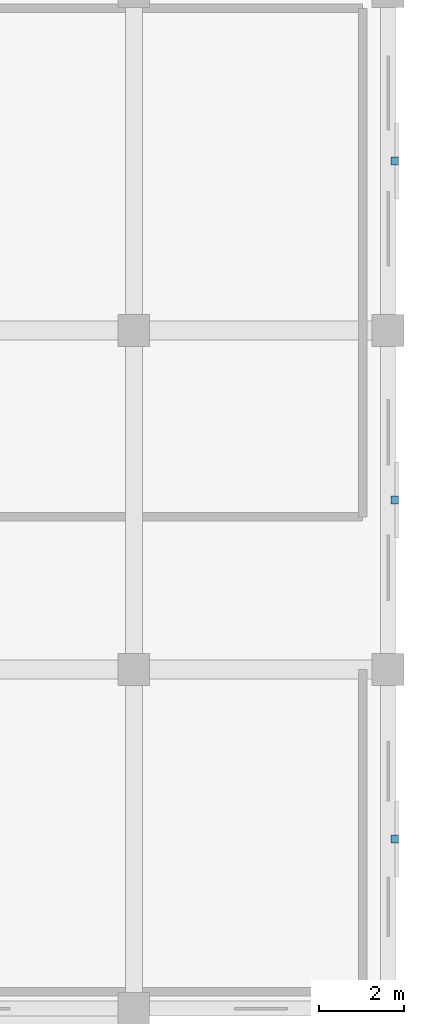
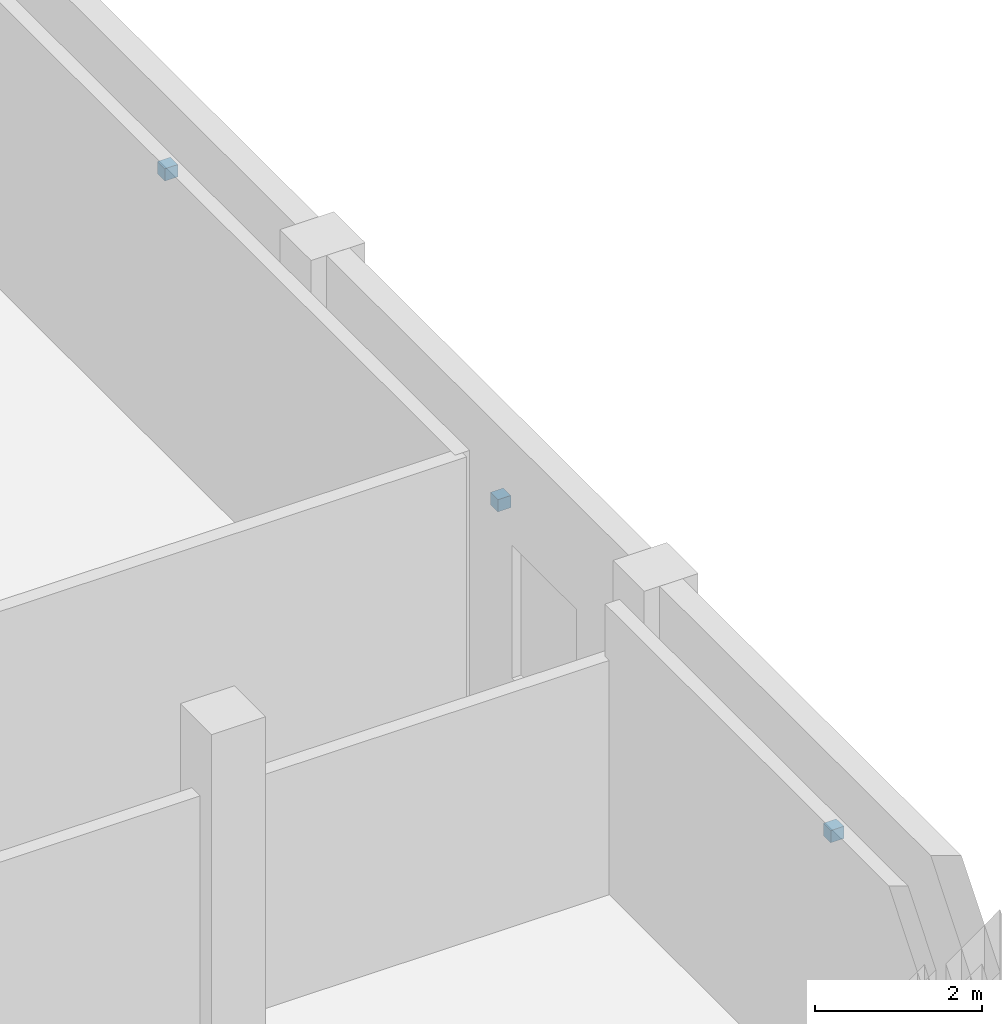
# One storey, part 40 of 53: 3 discrete accessories.
"""IFC4 building model written with IfcOpenShell, lengths in metres."""

from ifc_helpers import new_model, si_unit, direction, frame, origin, origin_2d, place, context, subcontext, project, spatial, rectangle, extrude, material, type_object, element, save


model = new_model("IFC4")

# Units and contexts
model_context = context("Model", 3, precision=1e-05, world=origin(), true_north=direction((0.0, 1.0)))
body_context = subcontext(model_context, "Body", "Model", "MODEL_VIEW")
ifc_project = project(units=[si_unit("LENGTHUNIT", "METRE"), si_unit("AREAUNIT", "SQUARE_METRE"), si_unit("VOLUMEUNIT", "CUBIC_METRE"), si_unit("PLANEANGLEUNIT", "RADIAN"), si_unit("MASSUNIT", "GRAM", prefix="KILO")], contexts=[model_context])

# Site, building, storey
site_placement = place(None, origin())
site = spatial("IfcSite", under=ifc_project, at=site_placement, CompositionType="ELEMENT")
building_placement = place(site_placement, origin())
building = spatial("IfcBuilding", under=site, at=building_placement, Name="Qorikala Patio Media Centre", CompositionType="ELEMENT")
storey_placement = place(building_placement, frame((0.0, 0.0, 5.39990234375)))
storey = spatial("IfcBuildingStorey", under=building, at=storey_placement, Name="L01", CompositionType="ELEMENT", Elevation=5.39990234375)

# Discrete accessories
ifc_material = material(Name="Steel S355", Category="steel")
discrete_accessory_type = type_object("IfcDiscreteAccessoryType", Name="ACC-BRACKET", PredefinedType="BRACKET", material=ifc_material)
for number, where, z_axis, x_axis, name in (
    (1, (167.159912109375, 23.0, 2.91015625), (0.0, 0.0, 1.0), (0.0, -1.0, 0.0), "L01 Louvre Support Bracket 009"),
    (2, (167.159912109375, 15.0, 2.91015625), (0.0, 0.0, 1.0), (0.0, -1.0, 0.0), "L01 Louvre Support Bracket 010"),
    (3, (167.159912109375, 7.0, 2.91015625), (0.0, 0.0, 1.0), (0.0, -1.0, 0.0), "L01 Louvre Support Bracket 011"),
):
    element("IfcDiscreteAccessory", number, at=place(storey_placement, frame(where, z_axis=z_axis, x_axis=x_axis)), inside=storey, type_object=discrete_accessory_type, Name=name, PredefinedType="BRACKET", context=body_context, shape_type="SweptSolid", body=[
        extrude(rectangle(XDim=0.179931640625, YDim=0.179931640625, at=origin_2d()), origin(), (0.0, 0.0, 1.0), 0.179931640625),
    ])

save(model, "model.ifc")
